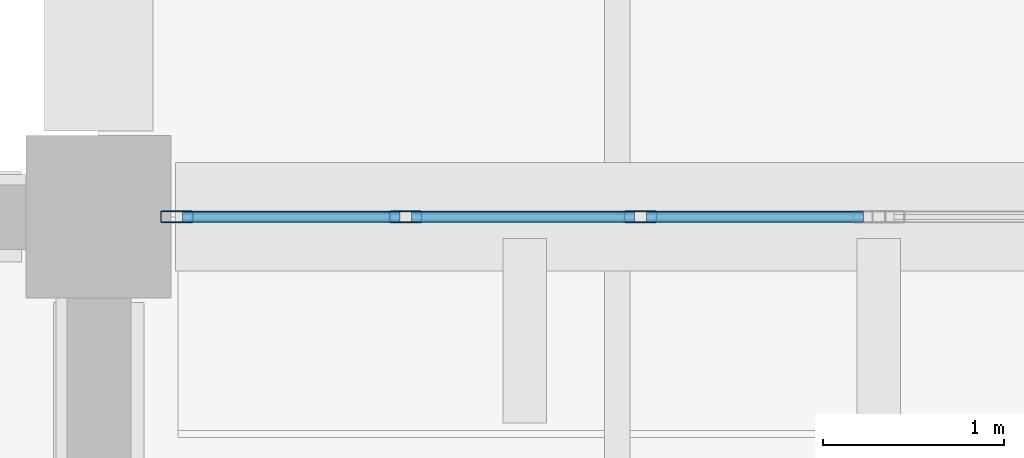
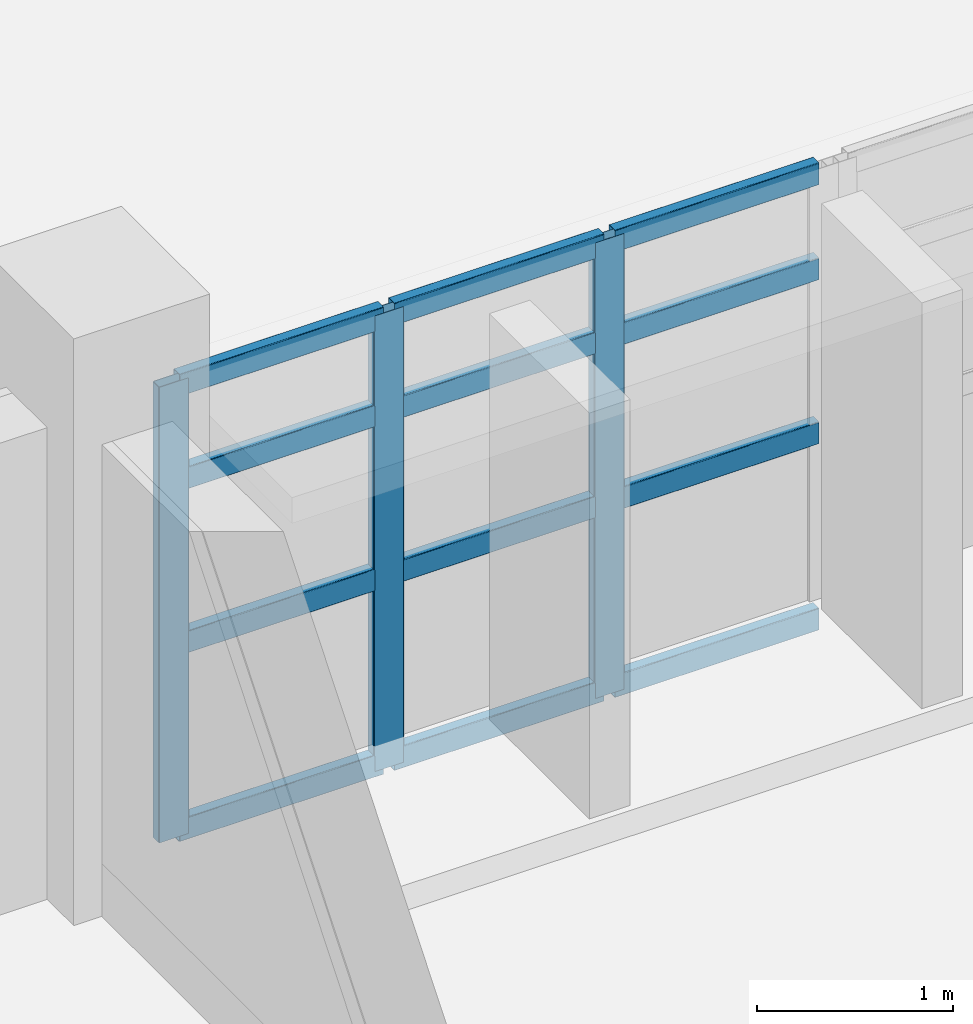
# One storey, part 20 of 80: 15 members, 1 element without a shape of its own.
"""IFC4 building model written with IfcOpenShell, lengths in metres."""

from ifc_helpers import new_model, si_unit, direction, frame, origin, origin_2d, place, context, subcontext, project, spatial, hollow_rectangle, extrude, material, material_profile, profile_set, type_object, element, aggregate, save


model = new_model("IFC4")

# Units and contexts
model_context = context("Model", 3, precision=1e-05, world=origin(), true_north=direction((0.0, 1.0)))
body_context = subcontext(model_context, "Body", "Model", "MODEL_VIEW")
ifc_project = project(units=[si_unit("LENGTHUNIT", "METRE"), si_unit("AREAUNIT", "SQUARE_METRE"), si_unit("VOLUMEUNIT", "CUBIC_METRE"), si_unit("PLANEANGLEUNIT", "RADIAN"), si_unit("MASSUNIT", "GRAM", prefix="KILO")], contexts=[model_context])

# Site, building, storey
site_placement = place(None, origin())
site = spatial("IfcSite", under=ifc_project, at=site_placement, CompositionType="ELEMENT")
building_placement = place(site_placement, origin())
building = spatial("IfcBuilding", under=site, at=building_placement, Name="Varnakota Cinema and Media Centre", CompositionType="ELEMENT")
storey_placement = place(building_placement, frame((0.0, 0.0, 4.5)))
storey = spatial("IfcBuildingStorey", under=building, at=storey_placement, Name="L01", CompositionType="ELEMENT", Elevation=4.5)

# Curtain wall, members
ifc_material_1 = material(Name="Thermally broken anodised aluminium AW-6063", Category="aluminium")
curtain_wall_type = type_object("IfcCurtainWallType", Name="CW-STD-389x284", PredefinedType="USERDEFINED", material=ifc_material_1)
curtain_wall_placement = place(storey_placement, origin())
curtain_wall = element("IfcCurtainWall", 1, at=curtain_wall_placement, inside=storey, type_object=curtain_wall_type, Name="L01 curtain wall CW-L01-LINK-S-W-02-2", ObjectType="UNITISED CURTAIN WALL", PredefinedType="USERDEFINED")
ifc_material_2 = material(Name="Thermally broken anodised aluminium AW-6063", Category="aluminium")
ifc_material_profile_1 = material_profile(ifc_material_2, hollow_rectangle(XDim=0.06494140625, YDim=0.179931640625, WallThickness=0.00390625, InnerFilletRadius=0.00390625, OuterFilletRadius=0.008056640625, at=origin_2d()), Name="AL-MULLION 180x65x4")
ifc_profile_set_1 = profile_set([ifc_material_profile_1], Name="Thermally broken anodised aluminium AW-6063")
member_type_1 = type_object("IfcMemberType", Name="CWM-AL-180", PredefinedType="MULLION", material=ifc_profile_set_1)
member_1_placement = place(storey_placement, frame((45.9951171875, 35.199951171875, 0.0), z_axis=(0.0, 0.0, 1.0), x_axis=(0.0, -1.0, 0.0)))
member_1 = element("IfcMember", 2, at=member_1_placement, type_object=member_type_1, Name="CW21 mullion 2", PredefinedType="MULLION", context=body_context, shape_type="SweptSolid", body=[
    extrude(hollow_rectangle(XDim=0.06494140625, YDim=0.179931640625, WallThickness=0.00390625, InnerFilletRadius=0.00390625, OuterFilletRadius=0.008056640625, at=origin_2d()), origin(), (0.0, 0.0, 1.0), 2.8349609375),
])
member_2_placement = place(storey_placement, frame((44.697509765625, 35.199951171875, 0.0), z_axis=(0.0, 0.0, 1.0), x_axis=(0.0, -1.0, 0.0)))
member_2 = element("IfcMember", 3, at=member_2_placement, type_object=member_type_1, Name="CW21 mullion 3", PredefinedType="MULLION", context=body_context, shape_type="SweptSolid", body=[
    extrude(hollow_rectangle(XDim=0.06494140625, YDim=0.179931640625, WallThickness=0.00390625, InnerFilletRadius=0.00390625, OuterFilletRadius=0.008056640625, at=origin_2d()), origin(), (0.0, 0.0, 1.0), 2.8349609375),
])
member_3_placement = place(storey_placement, frame((43.4326171875, 35.199951171875, 0.0), z_axis=(0.0, 0.0, 1.0), x_axis=(0.0, -1.0, 0.0)))
member_3 = element("IfcMember", 4, at=member_3_placement, type_object=member_type_1, Name="CW21 mullion 4", PredefinedType="MULLION", context=body_context, shape_type="SweptSolid", body=[
    extrude(hollow_rectangle(XDim=0.06494140625, YDim=0.179931640625, WallThickness=0.00390625, InnerFilletRadius=0.00390625, OuterFilletRadius=0.008056640625, at=origin_2d()), origin(), (0.0, 0.0, 1.0), 2.8349609375),
])
ifc_material_3 = material(Name="Thermally broken anodised aluminium AW-6063", Category="aluminium")
ifc_material_profile_2 = material_profile(ifc_material_3, hollow_rectangle(XDim=0.06494140625, YDim=0.139892578125, WallThickness=0.00390625, InnerFilletRadius=0.00390625, OuterFilletRadius=0.008056640625, at=origin_2d()), Name="AL-TRANSOM 140x65x4")
ifc_profile_set_2 = profile_set([ifc_material_profile_2], Name="Thermally broken anodised aluminium AW-6063")
member_type_2 = type_object("IfcMemberType", Name="CWT-AL-140", PredefinedType="USERDEFINED", material=ifc_profile_set_2)
member_4_placement = place(storey_placement, frame((47.2275390625, 35.199951171875, 0.032470703125), z_axis=(-1.0, 0.0, 0.0), x_axis=(0.0, -1.0, 0.0)))
member_4 = element("IfcMember", 5, at=member_4_placement, type_object=member_type_2, Name="CW21 transom 1.1", ObjectType="TRANSOM", PredefinedType="USERDEFINED", context=body_context, shape_type="SweptSolid", body=[
    extrude(hollow_rectangle(XDim=0.06494140625, YDim=0.139892578125, WallThickness=0.00390625, InnerFilletRadius=0.00390625, OuterFilletRadius=0.008056640625, at=origin_2d()), origin(), (0.0, 0.0, 1.0), 1.199951171875),
])
member_5_placement = place(storey_placement, frame((47.2275390625, 35.199951171875, 1.190673828125), z_axis=(-1.0, 0.0, 0.0), x_axis=(0.0, -1.0, 0.0)))
member_5 = element("IfcMember", 6, at=member_5_placement, type_object=member_type_2, Name="CW21 transom 1.2", ObjectType="TRANSOM", PredefinedType="USERDEFINED", context=body_context, shape_type="SweptSolid", body=[
    extrude(hollow_rectangle(XDim=0.06494140625, YDim=0.139892578125, WallThickness=0.00390625, InnerFilletRadius=0.00390625, OuterFilletRadius=0.008056640625, at=origin_2d()), origin(), (0.0, 0.0, 1.0), 1.199951171875),
])
member_6_placement = place(storey_placement, frame((47.2275390625, 35.199951171875, 2.211181640625), z_axis=(-1.0, 0.0, 0.0), x_axis=(0.0, -1.0, 0.0)))
member_6 = element("IfcMember", 7, at=member_6_placement, type_object=member_type_2, Name="CW21 transom 1.3", ObjectType="TRANSOM", PredefinedType="USERDEFINED", context=body_context, shape_type="SweptSolid", body=[
    extrude(hollow_rectangle(XDim=0.06494140625, YDim=0.139892578125, WallThickness=0.00390625, InnerFilletRadius=0.00390625, OuterFilletRadius=0.008056640625, at=origin_2d()), origin(), (0.0, 0.0, 1.0), 1.199951171875),
])
member_7_placement = place(storey_placement, frame((47.2275390625, 35.199951171875, 2.802490234375), z_axis=(-1.0, 0.0, 0.0), x_axis=(0.0, -1.0, 0.0)))
member_7 = element("IfcMember", 8, at=member_7_placement, type_object=member_type_2, Name="CW21 transom 1.4", ObjectType="TRANSOM", PredefinedType="USERDEFINED", context=body_context, shape_type="SweptSolid", body=[
    extrude(hollow_rectangle(XDim=0.06494140625, YDim=0.139892578125, WallThickness=0.00390625, InnerFilletRadius=0.00390625, OuterFilletRadius=0.008056640625, at=origin_2d()), origin(), (0.0, 0.0, 1.0), 1.199951171875),
])
member_8_placement = place(storey_placement, frame((45.96240234375, 35.199951171875, 0.032470703125), z_axis=(-1.0, 0.0, 0.0), x_axis=(0.0, -1.0, 0.0)))
member_8 = element("IfcMember", 9, at=member_8_placement, type_object=member_type_2, Name="CW21 transom 2.1", ObjectType="TRANSOM", PredefinedType="USERDEFINED", context=body_context, shape_type="SweptSolid", body=[
    extrude(hollow_rectangle(XDim=0.06494140625, YDim=0.139892578125, WallThickness=0.00390625, InnerFilletRadius=0.00390625, OuterFilletRadius=0.008056640625, at=origin_2d()), origin(), (0.0, 0.0, 1.0), 1.232421875),
])
member_9_placement = place(storey_placement, frame((45.96240234375, 35.199951171875, 1.190673828125), z_axis=(-1.0, 0.0, 0.0), x_axis=(0.0, -1.0, 0.0)))
member_9 = element("IfcMember", 10, at=member_9_placement, type_object=member_type_2, Name="CW21 transom 2.2", ObjectType="TRANSOM", PredefinedType="USERDEFINED", context=body_context, shape_type="SweptSolid", body=[
    extrude(hollow_rectangle(XDim=0.06494140625, YDim=0.139892578125, WallThickness=0.00390625, InnerFilletRadius=0.00390625, OuterFilletRadius=0.008056640625, at=origin_2d()), origin(), (0.0, 0.0, 1.0), 1.232421875),
])
member_10_placement = place(storey_placement, frame((45.96240234375, 35.199951171875, 2.211181640625), z_axis=(-1.0, 0.0, 0.0), x_axis=(0.0, -1.0, 0.0)))
member_10 = element("IfcMember", 11, at=member_10_placement, type_object=member_type_2, Name="CW21 transom 2.3", ObjectType="TRANSOM", PredefinedType="USERDEFINED", context=body_context, shape_type="SweptSolid", body=[
    extrude(hollow_rectangle(XDim=0.06494140625, YDim=0.139892578125, WallThickness=0.00390625, InnerFilletRadius=0.00390625, OuterFilletRadius=0.008056640625, at=origin_2d()), origin(), (0.0, 0.0, 1.0), 1.232421875),
])
member_11_placement = place(storey_placement, frame((45.96240234375, 35.199951171875, 2.802490234375), z_axis=(-1.0, 0.0, 0.0), x_axis=(0.0, -1.0, 0.0)))
member_11 = element("IfcMember", 12, at=member_11_placement, type_object=member_type_2, Name="CW21 transom 2.4", ObjectType="TRANSOM", PredefinedType="USERDEFINED", context=body_context, shape_type="SweptSolid", body=[
    extrude(hollow_rectangle(XDim=0.06494140625, YDim=0.139892578125, WallThickness=0.00390625, InnerFilletRadius=0.00390625, OuterFilletRadius=0.008056640625, at=origin_2d()), origin(), (0.0, 0.0, 1.0), 1.232421875),
])
member_12_placement = place(storey_placement, frame((44.6650390625, 35.199951171875, 0.032470703125), z_axis=(-1.0, 0.0, 0.0), x_axis=(0.0, -1.0, 0.0)))
member_12 = element("IfcMember", 13, at=member_12_placement, type_object=member_type_2, Name="CW21 transom 3.1", ObjectType="TRANSOM", PredefinedType="USERDEFINED", context=body_context, shape_type="SweptSolid", body=[
    extrude(hollow_rectangle(XDim=0.06494140625, YDim=0.139892578125, WallThickness=0.00390625, InnerFilletRadius=0.00390625, OuterFilletRadius=0.008056640625, at=origin_2d()), origin(), (0.0, 0.0, 1.0), 1.199951171875),
])
member_13_placement = place(storey_placement, frame((44.6650390625, 35.199951171875, 1.190673828125), z_axis=(-1.0, 0.0, 0.0), x_axis=(0.0, -1.0, 0.0)))
member_13 = element("IfcMember", 14, at=member_13_placement, type_object=member_type_2, Name="CW21 transom 3.2", ObjectType="TRANSOM", PredefinedType="USERDEFINED", context=body_context, shape_type="SweptSolid", body=[
    extrude(hollow_rectangle(XDim=0.06494140625, YDim=0.139892578125, WallThickness=0.00390625, InnerFilletRadius=0.00390625, OuterFilletRadius=0.008056640625, at=origin_2d()), origin(), (0.0, 0.0, 1.0), 1.199951171875),
])
member_14_placement = place(storey_placement, frame((44.6650390625, 35.199951171875, 2.211181640625), z_axis=(-1.0, 0.0, 0.0), x_axis=(0.0, -1.0, 0.0)))
member_14 = element("IfcMember", 15, at=member_14_placement, type_object=member_type_2, Name="CW21 transom 3.3", ObjectType="TRANSOM", PredefinedType="USERDEFINED", context=body_context, shape_type="SweptSolid", body=[
    extrude(hollow_rectangle(XDim=0.06494140625, YDim=0.139892578125, WallThickness=0.00390625, InnerFilletRadius=0.00390625, OuterFilletRadius=0.008056640625, at=origin_2d()), origin(), (0.0, 0.0, 1.0), 1.199951171875),
])
member_15_placement = place(storey_placement, frame((44.6650390625, 35.199951171875, 2.802490234375), z_axis=(-1.0, 0.0, 0.0), x_axis=(0.0, -1.0, 0.0)))
member_15 = element("IfcMember", 16, at=member_15_placement, type_object=member_type_2, Name="CW21 transom 3.4", ObjectType="TRANSOM", PredefinedType="USERDEFINED", context=body_context, shape_type="SweptSolid", body=[
    extrude(hollow_rectangle(XDim=0.06494140625, YDim=0.139892578125, WallThickness=0.00390625, InnerFilletRadius=0.00390625, OuterFilletRadius=0.008056640625, at=origin_2d()), origin(), (0.0, 0.0, 1.0), 1.199951171875),
])
aggregate(curtain_wall, [member_1, member_2, member_3, member_4, member_5, member_6, member_7, member_8, member_9, member_10, member_11, member_12, member_13, member_14, member_15])

save(model, "model.ifc")
